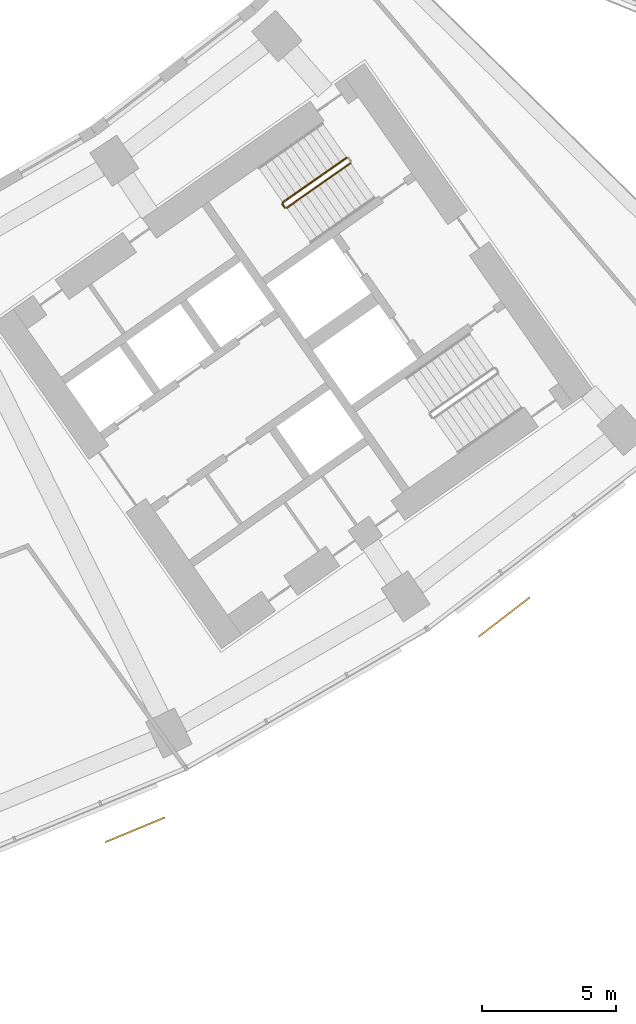
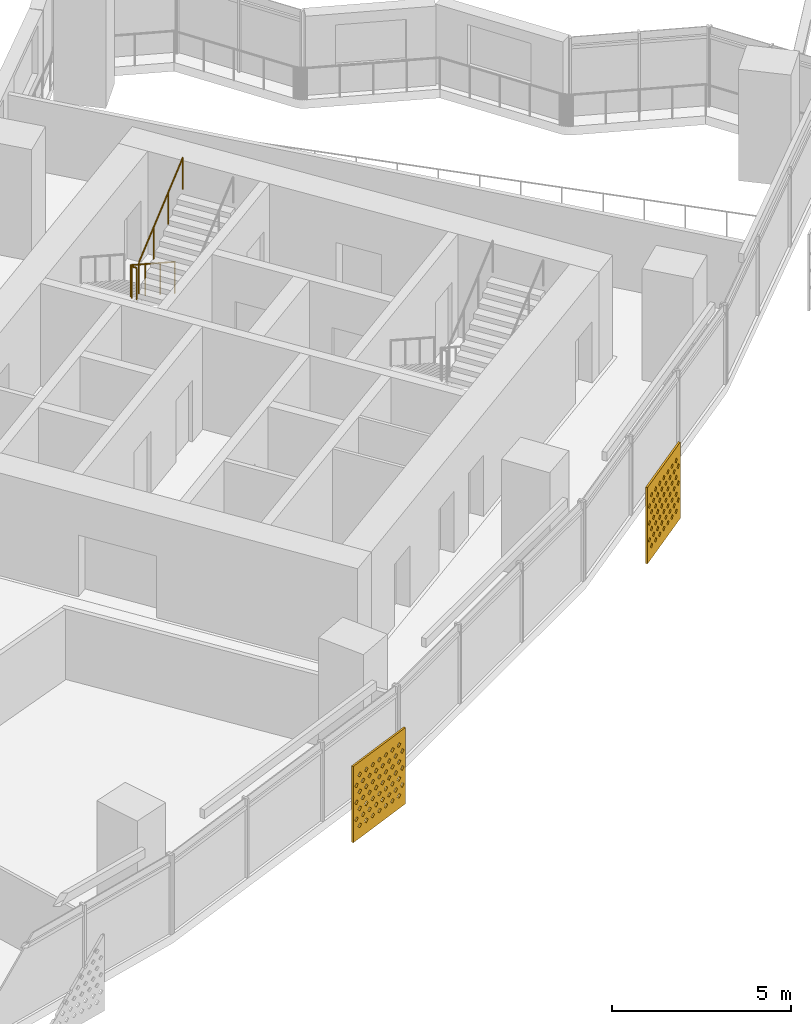
# One storey, part 28 of 30: 2 railings, 2 shading devices.
"""IFC4 building model written with IfcOpenShell, lengths in metres."""

from ifc_helpers import new_model, si_unit, direction, frame, origin, origin_2d, place, context, subcontext, project, spatial, polyline, circle, outline, extrude, material, material_profile, profile_set, type_object, element, save


model = new_model("IFC4")

# Units and contexts
model_context = context("Model", 3, precision=1e-05, world=origin(), true_north=direction((0.0, 1.0)))
body_context = subcontext(model_context, "Body", "Model", "MODEL_VIEW")
ifc_project = project(units=[si_unit("LENGTHUNIT", "METRE"), si_unit("AREAUNIT", "SQUARE_METRE"), si_unit("VOLUMEUNIT", "CUBIC_METRE"), si_unit("PLANEANGLEUNIT", "RADIAN"), si_unit("MASSUNIT", "GRAM", prefix="KILO")], contexts=[model_context])

# Site, building, storey
site_placement = place(None, origin())
site = spatial("IfcSite", under=ifc_project, at=site_placement, CompositionType="ELEMENT")
building_placement = place(site_placement, origin())
building = spatial("IfcBuilding", under=site, at=building_placement, Name="Qamariyya Broadcast Tower", CompositionType="ELEMENT")
storey_placement = place(building_placement, frame((0.0, 0.0, 98.699951171875)))
storey = spatial("IfcBuildingStorey", under=building, at=storey_placement, Name="L21", CompositionType="ELEMENT", Elevation=98.699951171875)

# Shading devices
ifc_material_1 = material(Name="Perforated glazed terracotta", Category="masonry")
ifc_material_profile = material_profile(ifc_material_1, outline(polyline([(-1.199951171875, -1.300048828125), (1.199951171875, -1.300048828125), (1.199951171875, 1.300048828125), (-1.199951171875, 1.300048828125), (-1.199951171875, -1.300048828125)]), holes=[polyline([(-0.81494140625, -0.86669921875), (-0.89990234375, -0.78173828125), (-0.985107421875, -0.86669921875), (-0.89990234375, -0.95166015625), (-0.81494140625, -0.86669921875)]), polyline([(-0.514892578125, -0.86669921875), (-0.60009765625, -0.78173828125), (-0.68505859375, -0.86669921875), (-0.60009765625, -0.95166015625), (-0.514892578125, -0.86669921875)]), polyline([(-0.215087890625, -0.86669921875), (-0.300048828125, -0.78173828125), (-0.385009765625, -0.86669921875), (-0.300048828125, -0.95166015625), (-0.215087890625, -0.86669921875)]), polyline([(0.0849609375, -0.86669921875), (0.0, -0.78173828125), (-0.0849609375, -0.86669921875), (0.0, -0.95166015625), (0.0849609375, -0.86669921875)]), polyline([(0.385009765625, -0.86669921875), (0.300048828125, -0.78173828125), (0.215087890625, -0.86669921875), (0.300048828125, -0.95166015625), (0.385009765625, -0.86669921875)]), polyline([(0.68505859375, -0.86669921875), (0.60009765625, -0.78173828125), (0.514892578125, -0.86669921875), (0.60009765625, -0.95166015625), (0.68505859375, -0.86669921875)]), polyline([(0.985107421875, -0.86669921875), (0.89990234375, -0.78173828125), (0.81494140625, -0.86669921875), (0.89990234375, -0.95166015625), (0.985107421875, -0.86669921875)]), polyline([(-0.965087890625, -0.577880859375), (-1.050048828125, -0.49267578125), (-1.135009765625, -0.577880859375), (-1.050048828125, -0.662841796875), (-0.965087890625, -0.577880859375)]), polyline([(-0.6650390625, -0.577880859375), (-0.75, -0.49267578125), (-0.8349609375, -0.577880859375), (-0.75, -0.662841796875), (-0.6650390625, -0.577880859375)]), polyline([(-0.364990234375, -0.577880859375), (-0.449951171875, -0.49267578125), (-0.534912109375, -0.577880859375), (-0.449951171875, -0.662841796875), (-0.364990234375, -0.577880859375)]), polyline([(-0.06494140625, -0.577880859375), (-0.14990234375, -0.49267578125), (-0.235107421875, -0.577880859375), (-0.14990234375, -0.662841796875), (-0.06494140625, -0.577880859375)]), polyline([(0.235107421875, -0.577880859375), (0.14990234375, -0.49267578125), (0.06494140625, -0.577880859375), (0.14990234375, -0.662841796875), (0.235107421875, -0.577880859375)]), polyline([(0.534912109375, -0.577880859375), (0.449951171875, -0.49267578125), (0.364990234375, -0.577880859375), (0.449951171875, -0.662841796875), (0.534912109375, -0.577880859375)]), polyline([(0.8349609375, -0.577880859375), (0.75, -0.49267578125), (0.6650390625, -0.577880859375), (0.75, -0.662841796875), (0.8349609375, -0.577880859375)]), polyline([(1.135009765625, -0.577880859375), (1.050048828125, -0.49267578125), (0.965087890625, -0.577880859375), (1.050048828125, -0.662841796875), (1.135009765625, -0.577880859375)]), polyline([(-0.81494140625, -0.288818359375), (-0.89990234375, -0.203857421875), (-0.985107421875, -0.288818359375), (-0.89990234375, -0.373779296875), (-0.81494140625, -0.288818359375)]), polyline([(-0.514892578125, -0.288818359375), (-0.60009765625, -0.203857421875), (-0.68505859375, -0.288818359375), (-0.60009765625, -0.373779296875), (-0.514892578125, -0.288818359375)]), polyline([(-0.215087890625, -0.288818359375), (-0.300048828125, -0.203857421875), (-0.385009765625, -0.288818359375), (-0.300048828125, -0.373779296875), (-0.215087890625, -0.288818359375)]), polyline([(0.0849609375, -0.288818359375), (0.0, -0.203857421875), (-0.0849609375, -0.288818359375), (0.0, -0.373779296875), (0.0849609375, -0.288818359375)]), polyline([(0.385009765625, -0.288818359375), (0.300048828125, -0.203857421875), (0.215087890625, -0.288818359375), (0.300048828125, -0.373779296875), (0.385009765625, -0.288818359375)]), polyline([(0.68505859375, -0.288818359375), (0.60009765625, -0.203857421875), (0.514892578125, -0.288818359375), (0.60009765625, -0.373779296875), (0.68505859375, -0.288818359375)]), polyline([(0.985107421875, -0.288818359375), (0.89990234375, -0.203857421875), (0.81494140625, -0.288818359375), (0.89990234375, -0.373779296875), (0.985107421875, -0.288818359375)]), polyline([(-0.965087890625, 0.0), (-1.050048828125, 0.0849609375), (-1.135009765625, 0.0), (-1.050048828125, -0.0849609375), (-0.965087890625, 0.0)]), polyline([(-0.6650390625, 0.0), (-0.75, 0.0849609375), (-0.8349609375, 0.0), (-0.75, -0.0849609375), (-0.6650390625, 0.0)]), polyline([(-0.364990234375, 0.0), (-0.449951171875, 0.0849609375), (-0.534912109375, 0.0), (-0.449951171875, -0.0849609375), (-0.364990234375, 0.0)]), polyline([(-0.06494140625, 0.0), (-0.14990234375, 0.0849609375), (-0.235107421875, 0.0), (-0.14990234375, -0.0849609375), (-0.06494140625, 0.0)]), polyline([(0.235107421875, 0.0), (0.14990234375, 0.0849609375), (0.06494140625, 0.0), (0.14990234375, -0.0849609375), (0.235107421875, 0.0)]), polyline([(0.534912109375, 0.0), (0.449951171875, 0.0849609375), (0.364990234375, 0.0), (0.449951171875, -0.0849609375), (0.534912109375, 0.0)]), polyline([(0.8349609375, 0.0), (0.75, 0.0849609375), (0.6650390625, 0.0), (0.75, -0.0849609375), (0.8349609375, 0.0)]), polyline([(1.135009765625, 0.0), (1.050048828125, 0.0849609375), (0.965087890625, 0.0), (1.050048828125, -0.0849609375), (1.135009765625, 0.0)]), polyline([(-0.81494140625, 0.288818359375), (-0.89990234375, 0.373779296875), (-0.985107421875, 0.288818359375), (-0.89990234375, 0.203857421875), (-0.81494140625, 0.288818359375)]), polyline([(-0.514892578125, 0.288818359375), (-0.60009765625, 0.373779296875), (-0.68505859375, 0.288818359375), (-0.60009765625, 0.203857421875), (-0.514892578125, 0.288818359375)]), polyline([(-0.215087890625, 0.288818359375), (-0.300048828125, 0.373779296875), (-0.385009765625, 0.288818359375), (-0.300048828125, 0.203857421875), (-0.215087890625, 0.288818359375)]), polyline([(0.0849609375, 0.288818359375), (0.0, 0.373779296875), (-0.0849609375, 0.288818359375), (0.0, 0.203857421875), (0.0849609375, 0.288818359375)]), polyline([(0.385009765625, 0.288818359375), (0.300048828125, 0.373779296875), (0.215087890625, 0.288818359375), (0.300048828125, 0.203857421875), (0.385009765625, 0.288818359375)]), polyline([(0.68505859375, 0.288818359375), (0.60009765625, 0.373779296875), (0.514892578125, 0.288818359375), (0.60009765625, 0.203857421875), (0.68505859375, 0.288818359375)]), polyline([(0.985107421875, 0.288818359375), (0.89990234375, 0.373779296875), (0.81494140625, 0.288818359375), (0.89990234375, 0.203857421875), (0.985107421875, 0.288818359375)]), polyline([(-0.965087890625, 0.577880859375), (-1.050048828125, 0.662841796875), (-1.135009765625, 0.577880859375), (-1.050048828125, 0.49267578125), (-0.965087890625, 0.577880859375)]), polyline([(-0.6650390625, 0.577880859375), (-0.75, 0.662841796875), (-0.8349609375, 0.577880859375), (-0.75, 0.49267578125), (-0.6650390625, 0.577880859375)]), polyline([(-0.364990234375, 0.577880859375), (-0.449951171875, 0.662841796875), (-0.534912109375, 0.577880859375), (-0.449951171875, 0.49267578125), (-0.364990234375, 0.577880859375)]), polyline([(-0.06494140625, 0.577880859375), (-0.14990234375, 0.662841796875), (-0.235107421875, 0.577880859375), (-0.14990234375, 0.49267578125), (-0.06494140625, 0.577880859375)]), polyline([(0.235107421875, 0.577880859375), (0.14990234375, 0.662841796875), (0.06494140625, 0.577880859375), (0.14990234375, 0.49267578125), (0.235107421875, 0.577880859375)]), polyline([(0.534912109375, 0.577880859375), (0.449951171875, 0.662841796875), (0.364990234375, 0.577880859375), (0.449951171875, 0.49267578125), (0.534912109375, 0.577880859375)]), polyline([(0.8349609375, 0.577880859375), (0.75, 0.662841796875), (0.6650390625, 0.577880859375), (0.75, 0.49267578125), (0.8349609375, 0.577880859375)]), polyline([(1.135009765625, 0.577880859375), (1.050048828125, 0.662841796875), (0.965087890625, 0.577880859375), (1.050048828125, 0.49267578125), (1.135009765625, 0.577880859375)]), polyline([(-0.81494140625, 0.86669921875), (-0.89990234375, 0.95166015625), (-0.985107421875, 0.86669921875), (-0.89990234375, 0.78173828125), (-0.81494140625, 0.86669921875)]), polyline([(-0.514892578125, 0.86669921875), (-0.60009765625, 0.95166015625), (-0.68505859375, 0.86669921875), (-0.60009765625, 0.78173828125), (-0.514892578125, 0.86669921875)]), polyline([(-0.215087890625, 0.86669921875), (-0.300048828125, 0.95166015625), (-0.385009765625, 0.86669921875), (-0.300048828125, 0.78173828125), (-0.215087890625, 0.86669921875)]), polyline([(0.0849609375, 0.86669921875), (0.0, 0.95166015625), (-0.0849609375, 0.86669921875), (0.0, 0.78173828125), (0.0849609375, 0.86669921875)]), polyline([(0.385009765625, 0.86669921875), (0.300048828125, 0.95166015625), (0.215087890625, 0.86669921875), (0.300048828125, 0.78173828125), (0.385009765625, 0.86669921875)]), polyline([(0.68505859375, 0.86669921875), (0.60009765625, 0.95166015625), (0.514892578125, 0.86669921875), (0.60009765625, 0.78173828125), (0.68505859375, 0.86669921875)]), polyline([(0.985107421875, 0.86669921875), (0.89990234375, 0.95166015625), (0.81494140625, 0.86669921875), (0.89990234375, 0.78173828125), (0.985107421875, 0.86669921875)])]))
ifc_profile_set = profile_set([ifc_material_profile], Name="Perforated glazed terracotta")
shading_device_type = type_object("IfcShadingDeviceType", Name="Perforated terracotta screen 2400 x 2600", PredefinedType="USERDEFINED", material=ifc_profile_set)
shading_device_1_placement = place(storey_placement, frame((33.12060546875, -73.3056640625, 1.35009765625), z_axis=(0.382591441855, -0.923917630863, 0.0), x_axis=(0.923917630863, 0.382591441855, 0.0)))
element("IfcShadingDevice", 1, at=shading_device_1_placement, inside=storey, type_object=shading_device_type, Name="e-scr-L21-12-2", ObjectType="SCREEN", PredefinedType="USERDEFINED", context=body_context, shape_type="SweptSolid", body=[
    extrude(outline(polyline([(-1.199951171875, -1.300048828125), (1.199951171875, -1.300048828125), (1.199951171875, 1.300048828125), (-1.199951171875, 1.300048828125), (-1.199951171875, -1.300048828125)]), holes=[polyline([(-0.81494140625, -0.86669921875), (-0.89990234375, -0.78173828125), (-0.985107421875, -0.86669921875), (-0.89990234375, -0.95166015625), (-0.81494140625, -0.86669921875)]), polyline([(-0.514892578125, -0.86669921875), (-0.60009765625, -0.78173828125), (-0.68505859375, -0.86669921875), (-0.60009765625, -0.95166015625), (-0.514892578125, -0.86669921875)]), polyline([(-0.215087890625, -0.86669921875), (-0.300048828125, -0.78173828125), (-0.385009765625, -0.86669921875), (-0.300048828125, -0.95166015625), (-0.215087890625, -0.86669921875)]), polyline([(0.0849609375, -0.86669921875), (0.0, -0.78173828125), (-0.0849609375, -0.86669921875), (0.0, -0.95166015625), (0.0849609375, -0.86669921875)]), polyline([(0.385009765625, -0.86669921875), (0.300048828125, -0.78173828125), (0.215087890625, -0.86669921875), (0.300048828125, -0.95166015625), (0.385009765625, -0.86669921875)]), polyline([(0.68505859375, -0.86669921875), (0.60009765625, -0.78173828125), (0.514892578125, -0.86669921875), (0.60009765625, -0.95166015625), (0.68505859375, -0.86669921875)]), polyline([(0.985107421875, -0.86669921875), (0.89990234375, -0.78173828125), (0.81494140625, -0.86669921875), (0.89990234375, -0.95166015625), (0.985107421875, -0.86669921875)]), polyline([(-0.965087890625, -0.577880859375), (-1.050048828125, -0.49267578125), (-1.135009765625, -0.577880859375), (-1.050048828125, -0.662841796875), (-0.965087890625, -0.577880859375)]), polyline([(-0.6650390625, -0.577880859375), (-0.75, -0.49267578125), (-0.8349609375, -0.577880859375), (-0.75, -0.662841796875), (-0.6650390625, -0.577880859375)]), polyline([(-0.364990234375, -0.577880859375), (-0.449951171875, -0.49267578125), (-0.534912109375, -0.577880859375), (-0.449951171875, -0.662841796875), (-0.364990234375, -0.577880859375)]), polyline([(-0.06494140625, -0.577880859375), (-0.14990234375, -0.49267578125), (-0.235107421875, -0.577880859375), (-0.14990234375, -0.662841796875), (-0.06494140625, -0.577880859375)]), polyline([(0.235107421875, -0.577880859375), (0.14990234375, -0.49267578125), (0.06494140625, -0.577880859375), (0.14990234375, -0.662841796875), (0.235107421875, -0.577880859375)]), polyline([(0.534912109375, -0.577880859375), (0.449951171875, -0.49267578125), (0.364990234375, -0.577880859375), (0.449951171875, -0.662841796875), (0.534912109375, -0.577880859375)]), polyline([(0.8349609375, -0.577880859375), (0.75, -0.49267578125), (0.6650390625, -0.577880859375), (0.75, -0.662841796875), (0.8349609375, -0.577880859375)]), polyline([(1.135009765625, -0.577880859375), (1.050048828125, -0.49267578125), (0.965087890625, -0.577880859375), (1.050048828125, -0.662841796875), (1.135009765625, -0.577880859375)]), polyline([(-0.81494140625, -0.288818359375), (-0.89990234375, -0.203857421875), (-0.985107421875, -0.288818359375), (-0.89990234375, -0.373779296875), (-0.81494140625, -0.288818359375)]), polyline([(-0.514892578125, -0.288818359375), (-0.60009765625, -0.203857421875), (-0.68505859375, -0.288818359375), (-0.60009765625, -0.373779296875), (-0.514892578125, -0.288818359375)]), polyline([(-0.215087890625, -0.288818359375), (-0.300048828125, -0.203857421875), (-0.385009765625, -0.288818359375), (-0.300048828125, -0.373779296875), (-0.215087890625, -0.288818359375)]), polyline([(0.0849609375, -0.288818359375), (0.0, -0.203857421875), (-0.0849609375, -0.288818359375), (0.0, -0.373779296875), (0.0849609375, -0.288818359375)]), polyline([(0.385009765625, -0.288818359375), (0.300048828125, -0.203857421875), (0.215087890625, -0.288818359375), (0.300048828125, -0.373779296875), (0.385009765625, -0.288818359375)]), polyline([(0.68505859375, -0.288818359375), (0.60009765625, -0.203857421875), (0.514892578125, -0.288818359375), (0.60009765625, -0.373779296875), (0.68505859375, -0.288818359375)]), polyline([(0.985107421875, -0.288818359375), (0.89990234375, -0.203857421875), (0.81494140625, -0.288818359375), (0.89990234375, -0.373779296875), (0.985107421875, -0.288818359375)]), polyline([(-0.965087890625, 0.0), (-1.050048828125, 0.0849609375), (-1.135009765625, 0.0), (-1.050048828125, -0.0849609375), (-0.965087890625, 0.0)]), polyline([(-0.6650390625, 0.0), (-0.75, 0.0849609375), (-0.8349609375, 0.0), (-0.75, -0.0849609375), (-0.6650390625, 0.0)]), polyline([(-0.364990234375, 0.0), (-0.449951171875, 0.0849609375), (-0.534912109375, 0.0), (-0.449951171875, -0.0849609375), (-0.364990234375, 0.0)]), polyline([(-0.06494140625, 0.0), (-0.14990234375, 0.0849609375), (-0.235107421875, 0.0), (-0.14990234375, -0.0849609375), (-0.06494140625, 0.0)]), polyline([(0.235107421875, 0.0), (0.14990234375, 0.0849609375), (0.06494140625, 0.0), (0.14990234375, -0.0849609375), (0.235107421875, 0.0)]), polyline([(0.534912109375, 0.0), (0.449951171875, 0.0849609375), (0.364990234375, 0.0), (0.449951171875, -0.0849609375), (0.534912109375, 0.0)]), polyline([(0.8349609375, 0.0), (0.75, 0.0849609375), (0.6650390625, 0.0), (0.75, -0.0849609375), (0.8349609375, 0.0)]), polyline([(1.135009765625, 0.0), (1.050048828125, 0.0849609375), (0.965087890625, 0.0), (1.050048828125, -0.0849609375), (1.135009765625, 0.0)]), polyline([(-0.81494140625, 0.288818359375), (-0.89990234375, 0.373779296875), (-0.985107421875, 0.288818359375), (-0.89990234375, 0.203857421875), (-0.81494140625, 0.288818359375)]), polyline([(-0.514892578125, 0.288818359375), (-0.60009765625, 0.373779296875), (-0.68505859375, 0.288818359375), (-0.60009765625, 0.203857421875), (-0.514892578125, 0.288818359375)]), polyline([(-0.215087890625, 0.288818359375), (-0.300048828125, 0.373779296875), (-0.385009765625, 0.288818359375), (-0.300048828125, 0.203857421875), (-0.215087890625, 0.288818359375)]), polyline([(0.0849609375, 0.288818359375), (0.0, 0.373779296875), (-0.0849609375, 0.288818359375), (0.0, 0.203857421875), (0.0849609375, 0.288818359375)]), polyline([(0.385009765625, 0.288818359375), (0.300048828125, 0.373779296875), (0.215087890625, 0.288818359375), (0.300048828125, 0.203857421875), (0.385009765625, 0.288818359375)]), polyline([(0.68505859375, 0.288818359375), (0.60009765625, 0.373779296875), (0.514892578125, 0.288818359375), (0.60009765625, 0.203857421875), (0.68505859375, 0.288818359375)]), polyline([(0.985107421875, 0.288818359375), (0.89990234375, 0.373779296875), (0.81494140625, 0.288818359375), (0.89990234375, 0.203857421875), (0.985107421875, 0.288818359375)]), polyline([(-0.965087890625, 0.577880859375), (-1.050048828125, 0.662841796875), (-1.135009765625, 0.577880859375), (-1.050048828125, 0.49267578125), (-0.965087890625, 0.577880859375)]), polyline([(-0.6650390625, 0.577880859375), (-0.75, 0.662841796875), (-0.8349609375, 0.577880859375), (-0.75, 0.49267578125), (-0.6650390625, 0.577880859375)]), polyline([(-0.364990234375, 0.577880859375), (-0.449951171875, 0.662841796875), (-0.534912109375, 0.577880859375), (-0.449951171875, 0.49267578125), (-0.364990234375, 0.577880859375)]), polyline([(-0.06494140625, 0.577880859375), (-0.14990234375, 0.662841796875), (-0.235107421875, 0.577880859375), (-0.14990234375, 0.49267578125), (-0.06494140625, 0.577880859375)]), polyline([(0.235107421875, 0.577880859375), (0.14990234375, 0.662841796875), (0.06494140625, 0.577880859375), (0.14990234375, 0.49267578125), (0.235107421875, 0.577880859375)]), polyline([(0.534912109375, 0.577880859375), (0.449951171875, 0.662841796875), (0.364990234375, 0.577880859375), (0.449951171875, 0.49267578125), (0.534912109375, 0.577880859375)]), polyline([(0.8349609375, 0.577880859375), (0.75, 0.662841796875), (0.6650390625, 0.577880859375), (0.75, 0.49267578125), (0.8349609375, 0.577880859375)]), polyline([(1.135009765625, 0.577880859375), (1.050048828125, 0.662841796875), (0.965087890625, 0.577880859375), (1.050048828125, 0.49267578125), (1.135009765625, 0.577880859375)]), polyline([(-0.81494140625, 0.86669921875), (-0.89990234375, 0.95166015625), (-0.985107421875, 0.86669921875), (-0.89990234375, 0.78173828125), (-0.81494140625, 0.86669921875)]), polyline([(-0.514892578125, 0.86669921875), (-0.60009765625, 0.95166015625), (-0.68505859375, 0.86669921875), (-0.60009765625, 0.78173828125), (-0.514892578125, 0.86669921875)]), polyline([(-0.215087890625, 0.86669921875), (-0.300048828125, 0.95166015625), (-0.385009765625, 0.86669921875), (-0.300048828125, 0.78173828125), (-0.215087890625, 0.86669921875)]), polyline([(0.0849609375, 0.86669921875), (0.0, 0.95166015625), (-0.0849609375, 0.86669921875), (0.0, 0.78173828125), (0.0849609375, 0.86669921875)]), polyline([(0.385009765625, 0.86669921875), (0.300048828125, 0.95166015625), (0.215087890625, 0.86669921875), (0.300048828125, 0.78173828125), (0.385009765625, 0.86669921875)]), polyline([(0.68505859375, 0.86669921875), (0.60009765625, 0.95166015625), (0.514892578125, 0.86669921875), (0.60009765625, 0.78173828125), (0.68505859375, 0.86669921875)]), polyline([(0.985107421875, 0.86669921875), (0.89990234375, 0.95166015625), (0.81494140625, 0.86669921875), (0.89990234375, 0.78173828125), (0.985107421875, 0.86669921875)])]), origin(), (0.0, 0.0, 1.0), 0.06005859375),
])
shading_device_2_placement = place(storey_placement, frame((46.85009765625, -65.392822265625, 1.35009765625), z_axis=(0.60971076085, -0.792623989105, 0.0), x_axis=(0.792623989105, 0.60971076085, 0.0)))
element("IfcShadingDevice", 2, at=shading_device_2_placement, inside=storey, type_object=shading_device_type, Name="e-scr-L21-14-0", ObjectType="SCREEN", PredefinedType="USERDEFINED", context=body_context, shape_type="SweptSolid", body=[
    extrude(outline(polyline([(-1.199951171875, -1.300048828125), (1.199951171875, -1.300048828125), (1.199951171875, 1.300048828125), (-1.199951171875, 1.300048828125), (-1.199951171875, -1.300048828125)]), holes=[polyline([(-0.81494140625, -0.86669921875), (-0.89990234375, -0.78173828125), (-0.985107421875, -0.86669921875), (-0.89990234375, -0.95166015625), (-0.81494140625, -0.86669921875)]), polyline([(-0.514892578125, -0.86669921875), (-0.60009765625, -0.78173828125), (-0.68505859375, -0.86669921875), (-0.60009765625, -0.95166015625), (-0.514892578125, -0.86669921875)]), polyline([(-0.215087890625, -0.86669921875), (-0.300048828125, -0.78173828125), (-0.385009765625, -0.86669921875), (-0.300048828125, -0.95166015625), (-0.215087890625, -0.86669921875)]), polyline([(0.0849609375, -0.86669921875), (0.0, -0.78173828125), (-0.0849609375, -0.86669921875), (0.0, -0.95166015625), (0.0849609375, -0.86669921875)]), polyline([(0.385009765625, -0.86669921875), (0.300048828125, -0.78173828125), (0.215087890625, -0.86669921875), (0.300048828125, -0.95166015625), (0.385009765625, -0.86669921875)]), polyline([(0.68505859375, -0.86669921875), (0.60009765625, -0.78173828125), (0.514892578125, -0.86669921875), (0.60009765625, -0.95166015625), (0.68505859375, -0.86669921875)]), polyline([(0.985107421875, -0.86669921875), (0.89990234375, -0.78173828125), (0.81494140625, -0.86669921875), (0.89990234375, -0.95166015625), (0.985107421875, -0.86669921875)]), polyline([(-0.965087890625, -0.577880859375), (-1.050048828125, -0.49267578125), (-1.135009765625, -0.577880859375), (-1.050048828125, -0.662841796875), (-0.965087890625, -0.577880859375)]), polyline([(-0.6650390625, -0.577880859375), (-0.75, -0.49267578125), (-0.8349609375, -0.577880859375), (-0.75, -0.662841796875), (-0.6650390625, -0.577880859375)]), polyline([(-0.364990234375, -0.577880859375), (-0.449951171875, -0.49267578125), (-0.534912109375, -0.577880859375), (-0.449951171875, -0.662841796875), (-0.364990234375, -0.577880859375)]), polyline([(-0.06494140625, -0.577880859375), (-0.14990234375, -0.49267578125), (-0.235107421875, -0.577880859375), (-0.14990234375, -0.662841796875), (-0.06494140625, -0.577880859375)]), polyline([(0.235107421875, -0.577880859375), (0.14990234375, -0.49267578125), (0.06494140625, -0.577880859375), (0.14990234375, -0.662841796875), (0.235107421875, -0.577880859375)]), polyline([(0.534912109375, -0.577880859375), (0.449951171875, -0.49267578125), (0.364990234375, -0.577880859375), (0.449951171875, -0.662841796875), (0.534912109375, -0.577880859375)]), polyline([(0.8349609375, -0.577880859375), (0.75, -0.49267578125), (0.6650390625, -0.577880859375), (0.75, -0.662841796875), (0.8349609375, -0.577880859375)]), polyline([(1.135009765625, -0.577880859375), (1.050048828125, -0.49267578125), (0.965087890625, -0.577880859375), (1.050048828125, -0.662841796875), (1.135009765625, -0.577880859375)]), polyline([(-0.81494140625, -0.288818359375), (-0.89990234375, -0.203857421875), (-0.985107421875, -0.288818359375), (-0.89990234375, -0.373779296875), (-0.81494140625, -0.288818359375)]), polyline([(-0.514892578125, -0.288818359375), (-0.60009765625, -0.203857421875), (-0.68505859375, -0.288818359375), (-0.60009765625, -0.373779296875), (-0.514892578125, -0.288818359375)]), polyline([(-0.215087890625, -0.288818359375), (-0.300048828125, -0.203857421875), (-0.385009765625, -0.288818359375), (-0.300048828125, -0.373779296875), (-0.215087890625, -0.288818359375)]), polyline([(0.0849609375, -0.288818359375), (0.0, -0.203857421875), (-0.0849609375, -0.288818359375), (0.0, -0.373779296875), (0.0849609375, -0.288818359375)]), polyline([(0.385009765625, -0.288818359375), (0.300048828125, -0.203857421875), (0.215087890625, -0.288818359375), (0.300048828125, -0.373779296875), (0.385009765625, -0.288818359375)]), polyline([(0.68505859375, -0.288818359375), (0.60009765625, -0.203857421875), (0.514892578125, -0.288818359375), (0.60009765625, -0.373779296875), (0.68505859375, -0.288818359375)]), polyline([(0.985107421875, -0.288818359375), (0.89990234375, -0.203857421875), (0.81494140625, -0.288818359375), (0.89990234375, -0.373779296875), (0.985107421875, -0.288818359375)]), polyline([(-0.965087890625, 0.0), (-1.050048828125, 0.0849609375), (-1.135009765625, 0.0), (-1.050048828125, -0.0849609375), (-0.965087890625, 0.0)]), polyline([(-0.6650390625, 0.0), (-0.75, 0.0849609375), (-0.8349609375, 0.0), (-0.75, -0.0849609375), (-0.6650390625, 0.0)]), polyline([(-0.364990234375, 0.0), (-0.449951171875, 0.0849609375), (-0.534912109375, 0.0), (-0.449951171875, -0.0849609375), (-0.364990234375, 0.0)]), polyline([(-0.06494140625, 0.0), (-0.14990234375, 0.0849609375), (-0.235107421875, 0.0), (-0.14990234375, -0.0849609375), (-0.06494140625, 0.0)]), polyline([(0.235107421875, 0.0), (0.14990234375, 0.0849609375), (0.06494140625, 0.0), (0.14990234375, -0.0849609375), (0.235107421875, 0.0)]), polyline([(0.534912109375, 0.0), (0.449951171875, 0.0849609375), (0.364990234375, 0.0), (0.449951171875, -0.0849609375), (0.534912109375, 0.0)]), polyline([(0.8349609375, 0.0), (0.75, 0.0849609375), (0.6650390625, 0.0), (0.75, -0.0849609375), (0.8349609375, 0.0)]), polyline([(1.135009765625, 0.0), (1.050048828125, 0.0849609375), (0.965087890625, 0.0), (1.050048828125, -0.0849609375), (1.135009765625, 0.0)]), polyline([(-0.81494140625, 0.288818359375), (-0.89990234375, 0.373779296875), (-0.985107421875, 0.288818359375), (-0.89990234375, 0.203857421875), (-0.81494140625, 0.288818359375)]), polyline([(-0.514892578125, 0.288818359375), (-0.60009765625, 0.373779296875), (-0.68505859375, 0.288818359375), (-0.60009765625, 0.203857421875), (-0.514892578125, 0.288818359375)]), polyline([(-0.215087890625, 0.288818359375), (-0.300048828125, 0.373779296875), (-0.385009765625, 0.288818359375), (-0.300048828125, 0.203857421875), (-0.215087890625, 0.288818359375)]), polyline([(0.0849609375, 0.288818359375), (0.0, 0.373779296875), (-0.0849609375, 0.288818359375), (0.0, 0.203857421875), (0.0849609375, 0.288818359375)]), polyline([(0.385009765625, 0.288818359375), (0.300048828125, 0.373779296875), (0.215087890625, 0.288818359375), (0.300048828125, 0.203857421875), (0.385009765625, 0.288818359375)]), polyline([(0.68505859375, 0.288818359375), (0.60009765625, 0.373779296875), (0.514892578125, 0.288818359375), (0.60009765625, 0.203857421875), (0.68505859375, 0.288818359375)]), polyline([(0.985107421875, 0.288818359375), (0.89990234375, 0.373779296875), (0.81494140625, 0.288818359375), (0.89990234375, 0.203857421875), (0.985107421875, 0.288818359375)]), polyline([(-0.965087890625, 0.577880859375), (-1.050048828125, 0.662841796875), (-1.135009765625, 0.577880859375), (-1.050048828125, 0.49267578125), (-0.965087890625, 0.577880859375)]), polyline([(-0.6650390625, 0.577880859375), (-0.75, 0.662841796875), (-0.8349609375, 0.577880859375), (-0.75, 0.49267578125), (-0.6650390625, 0.577880859375)]), polyline([(-0.364990234375, 0.577880859375), (-0.449951171875, 0.662841796875), (-0.534912109375, 0.577880859375), (-0.449951171875, 0.49267578125), (-0.364990234375, 0.577880859375)]), polyline([(-0.06494140625, 0.577880859375), (-0.14990234375, 0.662841796875), (-0.235107421875, 0.577880859375), (-0.14990234375, 0.49267578125), (-0.06494140625, 0.577880859375)]), polyline([(0.235107421875, 0.577880859375), (0.14990234375, 0.662841796875), (0.06494140625, 0.577880859375), (0.14990234375, 0.49267578125), (0.235107421875, 0.577880859375)]), polyline([(0.534912109375, 0.577880859375), (0.449951171875, 0.662841796875), (0.364990234375, 0.577880859375), (0.449951171875, 0.49267578125), (0.534912109375, 0.577880859375)]), polyline([(0.8349609375, 0.577880859375), (0.75, 0.662841796875), (0.6650390625, 0.577880859375), (0.75, 0.49267578125), (0.8349609375, 0.577880859375)]), polyline([(1.135009765625, 0.577880859375), (1.050048828125, 0.662841796875), (0.965087890625, 0.577880859375), (1.050048828125, 0.49267578125), (1.135009765625, 0.577880859375)]), polyline([(-0.81494140625, 0.86669921875), (-0.89990234375, 0.95166015625), (-0.985107421875, 0.86669921875), (-0.89990234375, 0.78173828125), (-0.81494140625, 0.86669921875)]), polyline([(-0.514892578125, 0.86669921875), (-0.60009765625, 0.95166015625), (-0.68505859375, 0.86669921875), (-0.60009765625, 0.78173828125), (-0.514892578125, 0.86669921875)]), polyline([(-0.215087890625, 0.86669921875), (-0.300048828125, 0.95166015625), (-0.385009765625, 0.86669921875), (-0.300048828125, 0.78173828125), (-0.215087890625, 0.86669921875)]), polyline([(0.0849609375, 0.86669921875), (0.0, 0.95166015625), (-0.0849609375, 0.86669921875), (0.0, 0.78173828125), (0.0849609375, 0.86669921875)]), polyline([(0.385009765625, 0.86669921875), (0.300048828125, 0.95166015625), (0.215087890625, 0.86669921875), (0.300048828125, 0.78173828125), (0.385009765625, 0.86669921875)]), polyline([(0.68505859375, 0.86669921875), (0.60009765625, 0.95166015625), (0.514892578125, 0.86669921875), (0.60009765625, 0.78173828125), (0.68505859375, 0.86669921875)]), polyline([(0.985107421875, 0.86669921875), (0.89990234375, 0.95166015625), (0.81494140625, 0.86669921875), (0.89990234375, 0.78173828125), (0.985107421875, 0.86669921875)])]), origin(), (0.0, 0.0, 1.0), 0.06005859375),
])

# Railings
ifc_material_2 = material(Name="Painted steel", Category="steel")
railing_type = type_object("IfcRailingType", Name="Stair guard", PredefinedType="GUARDRAIL", material=ifc_material_2)
railing_1_placement = place(storey_placement, frame((41.003173828125, -48.320068359375, 0.1728515625)))
element("IfcRailing", 3, at=railing_1_placement, inside=storey, type_object=railing_type, Name="L21 ST-E2 stair guard 1", PredefinedType="GUARDRAIL", context=body_context, shape_type="SweptSolid", body=[
    extrude(circle(Radius=0.02392578125, at=origin_2d()), frame((0.0, 0.0, 1.076171875), z_axis=(-0.703770094002, -0.492783725636, 0.511734163933), x_axis=(0.573575343427, -0.819152809562, 0.0)), (0.0, 0.0, 1.0), 3.37548828125),
    extrude(circle(Radius=0.02392578125, at=origin_2d()), frame((-2.37548828125, -1.663330078125, 2.80322265625), z_axis=(-0.172799478008, -0.984957024646, 0.0), x_axis=(0.984957024646, -0.172799478008, 0.0)), (0.0, 0.0, 1.0), 0.070556640625),
    extrude(circle(Radius=0.02392578125, at=origin_2d()), frame((-2.3876953125, -1.73291015625, 2.80322265625), z_axis=(0.572588637393, -0.819842821722, 0.0), x_axis=(0.819842821722, 0.572588637393, 0.0)), (0.0, 0.0, 1.0), 0.150146484375),
    extrude(circle(Radius=0.02099609375, at=origin_2d()), origin(), (0.0, 0.0, 1.0), 1.052001953125),
    extrude(circle(Radius=0.02099609375, at=origin_2d()), frame((-0.791748046875, -0.554443359375, 0.57568359375)), (0.0, 0.0, 1.0), 1.052001953125),
    extrude(circle(Radius=0.02099609375, at=origin_2d()), frame((-1.583740234375, -1.10888671875, 1.151611328125)), (0.0, 0.0, 1.0), 1.052001953125),
    extrude(circle(Radius=0.02099609375, at=origin_2d()), frame((-2.37548828125, -1.663330078125, 1.727294921875)), (0.0, 0.0, 1.0), 1.052001953125),
    extrude(circle(Radius=0.02099609375, at=origin_2d()), frame((-2.3876953125, -1.73291015625, 1.727294921875)), (0.0, 0.0, 1.0), 1.052001953125),
    extrude(circle(Radius=0.02099609375, at=origin_2d()), frame((-2.3017578125, -1.85595703125, 1.727294921875)), (0.0, 0.0, 1.0), 1.052001953125),
])
railing_2_placement = place(storey_placement, frame((38.771240234375, -50.188232421875, 2.07275390625)))
element("IfcRailing", 4, at=railing_2_placement, inside=storey, type_object=railing_type, Name="L21 ST-E2 stair guard 2", PredefinedType="GUARDRAIL", context=body_context, shape_type="SweptSolid", body=[
    extrude(circle(Radius=0.02392578125, at=origin_2d()), frame((0.0, 0.0, 1.076171875), z_axis=(0.703770094002, 0.492783725636, 0.511734163933), x_axis=(-0.573575343427, 0.819152809562, 0.0)), (0.0, 0.0, 1.0), 3.37548828125),
    extrude(circle(Radius=0.02099609375, at=origin_2d()), origin(), (0.0, 0.0, 1.0), 1.052001953125),
    extrude(circle(Radius=0.02099609375, at=origin_2d()), frame((0.791748046875, 0.554443359375, 0.57568359375)), (0.0, 0.0, 1.0), 1.052001953125),
    extrude(circle(Radius=0.02099609375, at=origin_2d()), frame((1.583740234375, 1.10888671875, 1.151611328125)), (0.0, 0.0, 1.0), 1.052001953125),
    extrude(circle(Radius=0.02099609375, at=origin_2d()), frame((2.37548828125, 1.663330078125, 1.727294921875)), (0.0, 0.0, 1.0), 1.052001953125),
])

save(model, "model.ifc")
